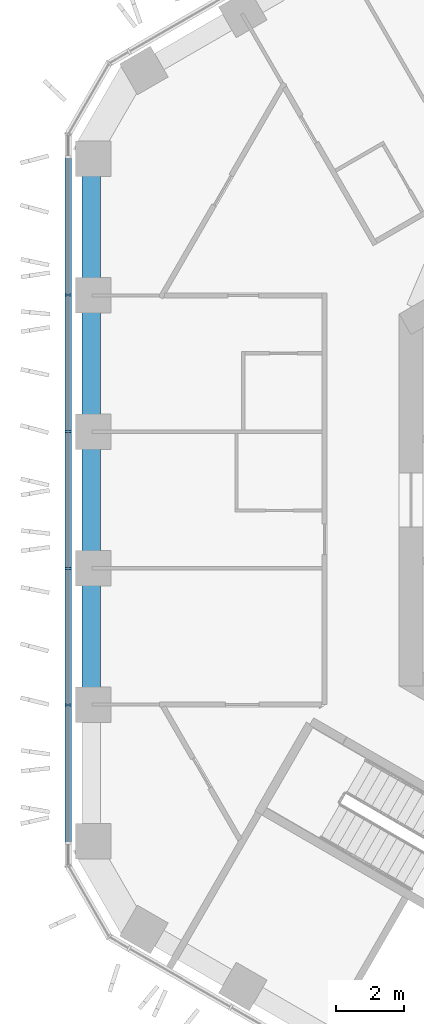
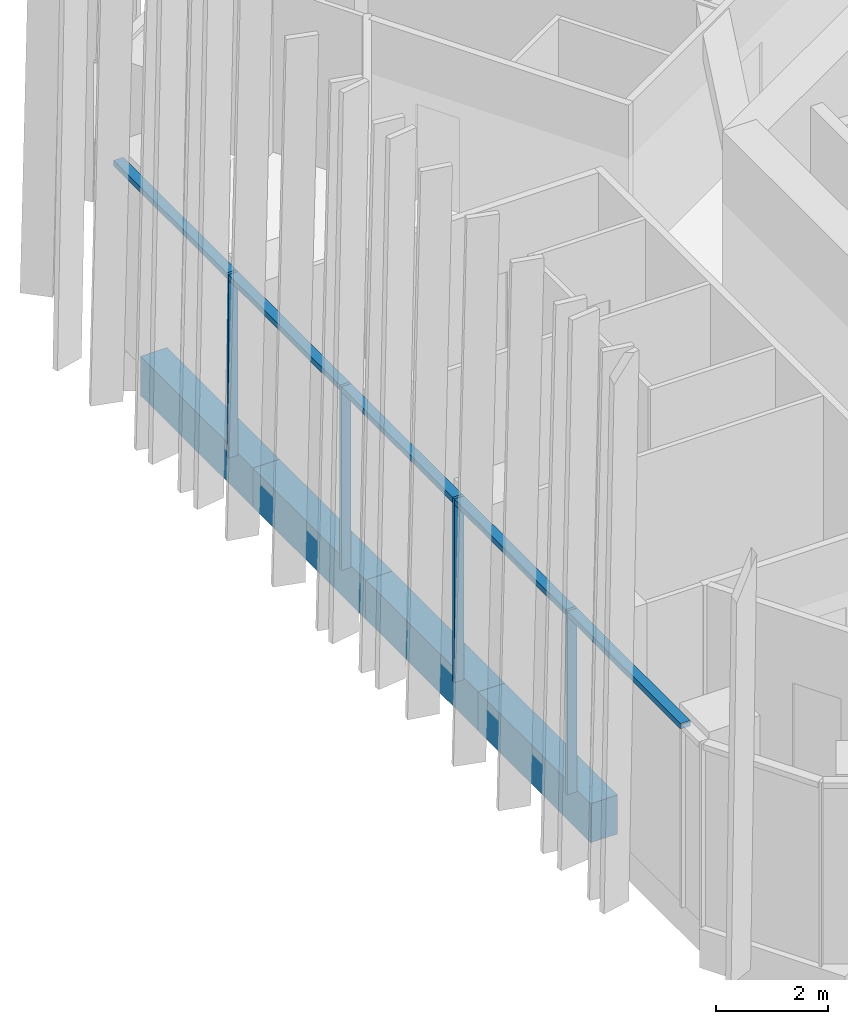
# One storey, part 4 of 31: 5 members, 4 beams, 1 element without a shape of its own.
"""IFC4 building model written with IfcOpenShell, lengths in metres."""

from ifc_helpers import new_model, si_unit, direction, frame, origin, origin_2d, place, context, subcontext, project, spatial, rectangle, extrude, material, layer, layer_set, material_profile, profile_set, type_object, element, aggregate, save


model = new_model("IFC4")

# Units and contexts
model_context = context("Model", 3, precision=1e-05, world=origin(), true_north=direction((0.0, 1.0)))
body_context = subcontext(model_context, "Body", "Model", "MODEL_VIEW")
ifc_project = project(units=[si_unit("LENGTHUNIT", "METRE"), si_unit("AREAUNIT", "SQUARE_METRE"), si_unit("VOLUMEUNIT", "CUBIC_METRE"), si_unit("PLANEANGLEUNIT", "RADIAN"), si_unit("MASSUNIT", "GRAM", prefix="KILO")], contexts=[model_context])

# Site, building, storey
site_placement = place(None, origin())
site = spatial("IfcSite", under=ifc_project, at=site_placement, CompositionType="ELEMENT")
building_placement = place(site_placement, origin())
building = spatial("IfcBuilding", under=site, at=building_placement, Name="Ayvan Gate Tower", CompositionType="ELEMENT")
storey_placement = place(building_placement, frame((0.0, 0.0, 135.89990234375)))
storey = spatial("IfcBuildingStorey", under=building, at=storey_placement, Name="L36", CompositionType="ELEMENT", Elevation=135.89990234375)

# Beams
ifc_material_1 = material(Name="Concrete C40/50", Category="concrete")
ifc_material_profile_1 = material_profile(ifc_material_1, rectangle(XDim=0.550048828125, YDim=0.85009765625, at=origin_2d()), Name="RC 550x850")
ifc_profile_set_1 = profile_set([ifc_material_profile_1], Name="Concrete C40/50")
beam_type = type_object("IfcBeamType", Name="Spandrel beam RC 550x850 C40/50", PredefinedType="BEAM", material=ifc_profile_set_1)
beam_1_placement = place(storey_placement, frame((-18.578369140625, 10.041748046875, -0.824951171875), z_axis=(0.0, -1.0, 0.0), x_axis=(1.0, 0.0, 0.0)))
element("IfcBeam", 1, at=beam_1_placement, inside=storey, type_object=beam_type, Name="SB-L36-19", PredefinedType="BEAM", context=body_context, shape_type="SweptSolid", body=[
    extrude(rectangle(XDim=0.550048828125, YDim=0.85009765625, at=origin_2d()), origin(), (0.0, 0.0, 1.0), 4.0166015625),
])
beam_2_placement = place(storey_placement, frame((-18.578369140625, 6.025146484375, -0.824951171875), z_axis=(0.0, -1.0, 0.0), x_axis=(1.0, 0.0, 0.0)))
element("IfcBeam", 2, at=beam_2_placement, inside=storey, type_object=beam_type, Name="SB-L36-20", PredefinedType="BEAM", context=body_context, shape_type="SweptSolid", body=[
    extrude(rectangle(XDim=0.550048828125, YDim=0.85009765625, at=origin_2d()), origin(), (0.0, 0.0, 1.0), 4.016845703125),
])
beam_3_placement = place(storey_placement, frame((-18.578369140625, 2.00830078125, -0.824951171875), z_axis=(0.0, -1.0, 0.0), x_axis=(1.0, 0.0, 0.0)))
element("IfcBeam", 3, at=beam_3_placement, inside=storey, type_object=beam_type, Name="SB-L36-21", PredefinedType="BEAM", context=body_context, shape_type="SweptSolid", body=[
    extrude(rectangle(XDim=0.550048828125, YDim=0.85009765625, at=origin_2d()), origin(), (0.0, 0.0, 1.0), 4.0166015625),
])
beam_4_placement = place(storey_placement, frame((-18.578369140625, -2.00830078125, -0.824951171875), z_axis=(0.0, -1.0, 0.0), x_axis=(1.0, 0.0, 0.0)))
element("IfcBeam", 4, at=beam_4_placement, inside=storey, type_object=beam_type, Name="SB-L36-22", PredefinedType="BEAM", context=body_context, shape_type="SweptSolid", body=[
    extrude(rectangle(XDim=0.550048828125, YDim=0.85009765625, at=origin_2d()), origin(), (0.0, 0.0, 1.0), 4.016845703125),
])

# Curtain wall, members
ifc_material_2 = material(Name="Bronze anodised aluminium", Category="aluminium")
ifc_layer = layer(ifc_material_2, 0.199951171875)
ifc_layer_set = layer_set([ifc_layer], Name="Bronze anodised aluminium")
curtain_wall_type = type_object("IfcCurtainWallType", Name="Stick curtain wall CW-1", PredefinedType="NOTDEFINED", material=ifc_layer_set)
curtain_wall_placement = place(storey_placement, origin())
curtain_wall = element("IfcCurtainWall", 5, at=curtain_wall_placement, inside=storey, type_object=curtain_wall_type, Name="Stick curtain wall CW-1 L36", PredefinedType="NOTDEFINED")
ifc_material_profile_2 = material_profile(ifc_material_2, rectangle(XDim=0.199951171875, YDim=0.06005859375, at=origin_2d()), Name="Stick curtain wall CW-1 mullion 200 x 60")
ifc_profile_set_2 = profile_set([ifc_material_profile_2], Name="Bronze anodised aluminium")
member_type_1 = type_object("IfcMemberType", Name="Stick curtain wall CW-1 mullion 200 x 60", PredefinedType="MULLION", material=ifc_profile_set_2)
member_1_placement = place(storey_placement, frame((-19.263916015625, 6.042236328125, 0.0), z_axis=(0.0, 0.0, 1.0), x_axis=(-1.0, 0.0, 0.0)))
member_1 = element("IfcMember", 6, at=member_1_placement, type_object=member_type_1, Name="CW-1 mullion 2", PredefinedType="MULLION", context=body_context, shape_type="SweptSolid", body=[
    extrude(rectangle(XDim=0.199951171875, YDim=0.06005859375, at=origin_2d()), origin(), (0.0, 0.0, 1.0), 4.0),
])
member_2_placement = place(storey_placement, frame((-19.263916015625, 2.01416015625, 0.0), z_axis=(0.0, 0.0, 1.0), x_axis=(-1.0, 0.0, 0.0)))
member_2 = element("IfcMember", 7, at=member_2_placement, type_object=member_type_1, Name="CW-1 mullion 3", PredefinedType="MULLION", context=body_context, shape_type="SweptSolid", body=[
    extrude(rectangle(XDim=0.199951171875, YDim=0.06005859375, at=origin_2d()), origin(), (0.0, 0.0, 1.0), 4.0),
])
member_3_placement = place(storey_placement, frame((-19.263916015625, -2.013671875, 0.0), z_axis=(0.0, 0.0, 1.0), x_axis=(-1.0, 0.0, 0.0)))
member_3 = element("IfcMember", 8, at=member_3_placement, type_object=member_type_1, Name="CW-1 mullion 4", PredefinedType="MULLION", context=body_context, shape_type="SweptSolid", body=[
    extrude(rectangle(XDim=0.199951171875, YDim=0.06005859375, at=origin_2d()), origin(), (0.0, 0.0, 1.0), 4.0),
])
member_4_placement = place(storey_placement, frame((-19.263916015625, -6.041748046875, 0.0), z_axis=(0.0, 0.0, 1.0), x_axis=(-1.0, 0.0, 0.0)))
member_4 = element("IfcMember", 9, at=member_4_placement, type_object=member_type_1, Name="CW-1 mullion 5", PredefinedType="MULLION", context=body_context, shape_type="SweptSolid", body=[
    extrude(rectangle(XDim=0.199951171875, YDim=0.06005859375, at=origin_2d()), origin(), (0.0, 0.0, 1.0), 4.0),
])
ifc_material_profile_3 = material_profile(ifc_material_2, rectangle(XDim=0.199951171875, YDim=0.1201171875, at=origin_2d()), Name="Stick curtain wall CW-1 transom 200 x 120")
ifc_profile_set_3 = profile_set([ifc_material_profile_3], Name="Bronze anodised aluminium")
member_type_2 = type_object("IfcMemberType", Name="Stick curtain wall CW-1 transom 200 x 120", PredefinedType="USERDEFINED", material=ifc_profile_set_3)
member_5_placement = place(storey_placement, frame((-19.263916015625, 10.1123046875, 3.940185546875), z_axis=(0.0, -1.0, 0.0), x_axis=(1.0, 0.0, 0.0)))
member_5 = element("IfcMember", 10, at=member_5_placement, type_object=member_type_2, Name="CW-1 transom 1", ObjectType="TRANSOM", PredefinedType="USERDEFINED", context=body_context, shape_type="SweptSolid", body=[
    extrude(rectangle(XDim=0.199951171875, YDim=0.1201171875, at=origin_2d()), origin(), (0.0, 0.0, 1.0), 20.224609375),
])
aggregate(curtain_wall, [member_1, member_2, member_3, member_4, member_5])

save(model, "model.ifc")
